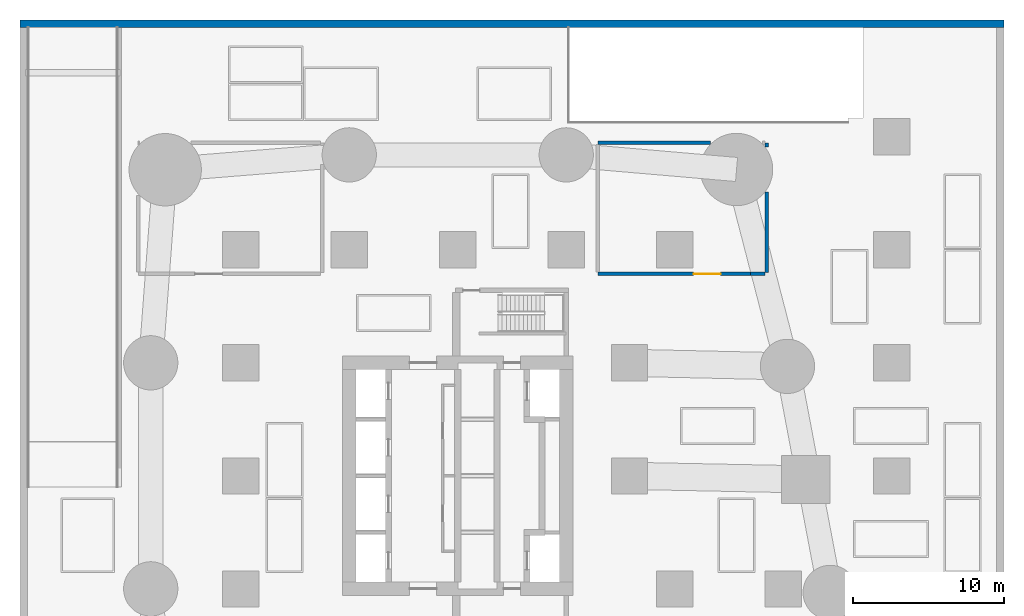
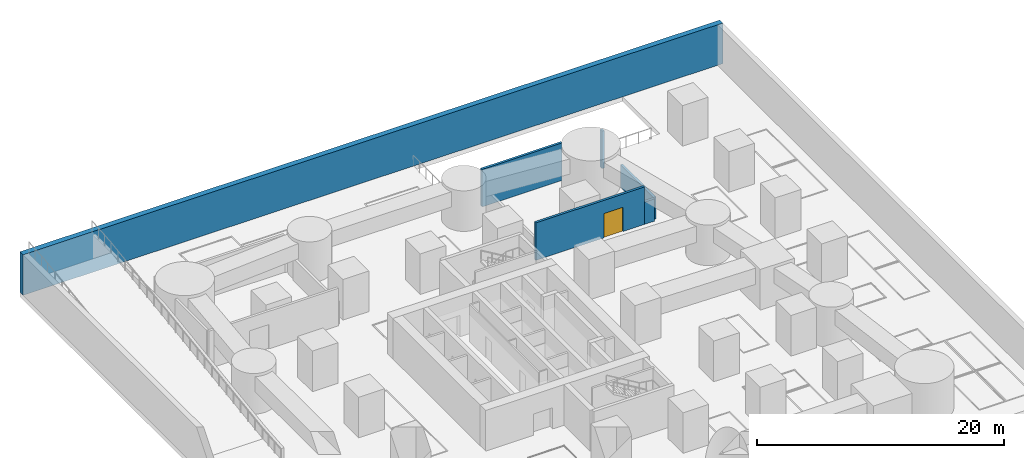
# One storey, part 4 of 8: 6 walls, 1 door, 1 opening.
"""IFC4 building model written with IfcOpenShell, lengths in metres."""

import ifcopenshell
import ifcopenshell.guid

model = None  # the IFC model being written
_history = None  # IfcOwnerHistory: only IFC2X3 demands one
_inside = {}  # id of a spatial element -> (the spatial element, [elements in it])
_under = {}  # id of a project, library or spatial element -> (it, [spatial elements below it])
_declared = {}  # id of a project -> (the project, [libraries it declares])
_typed = {}  # id of a type object -> (the type object, [elements of that type])
_made_of = {}  # id of a material, layer set ... -> (it, [elements and type objects made of it])


def new_model(schema):
    """Start an empty IFC model of exactly this schema.

    Asked for "IFC4X3", IfcOpenShell would pick the latest addendum, in which some entities
    have other attributes; the version numbers below select the first issue.
    IFC2X3 requires an IfcOwnerHistory on every rooted entity: one is made here for all.
    """
    global model, _history
    if schema == "IFC4X3":
        model = ifcopenshell.file(schema_version=(4, 3, 0, 0))
    else:
        model = ifcopenshell.file(schema=schema)
    _inside.clear()
    _under.clear()
    _declared.clear()
    _typed.clear()
    _made_of.clear()
    _history = None
    if model.schema == "IFC2X3":
        org = make("IfcOrganization", Name="unknown")
        user = make(
            "IfcPersonAndOrganization",
            ThePerson=make("IfcPerson", FamilyName="unknown"),
            TheOrganization=org,
        )
        app = make(
            "IfcApplication",
            ApplicationDeveloper=org,
            Version="unknown",
            ApplicationFullName="unknown",
            ApplicationIdentifier="unknown",
        )
        _history = make(
            "IfcOwnerHistory",
            OwningUser=user,
            OwningApplication=app,
            ChangeAction="ADDED",
            CreationDate=0,
        )
    return model


def make(cls, **values):
    """One entity of the class cls with the attributes given. An attribute that is None is left unset."""
    return model.create_entity(
        cls, **{name: value for name, value in values.items() if value is not None}
    )


def rooted(cls, **values):
    """An entity with a GlobalId (a new one), such as an element, a storey or a relation."""
    return make(cls, GlobalId=ifcopenshell.guid.new(), OwnerHistory=_history, **values)


def si_unit(unit_type, name, prefix=None):
    """IfcSIUnit, for example si_unit("LENGTHUNIT", "METRE", prefix="MILLI")."""
    return make("IfcSIUnit", UnitType=unit_type, Prefix=prefix, Name=name)


def assignment(units):
    """IfcUnitAssignment: the units of a project."""
    return None if units is None else make("IfcUnitAssignment", Units=units)


def point(xyz):
    """IfcCartesianPoint."""
    return None if xyz is None else make("IfcCartesianPoint", Coordinates=xyz)


def direction(xyz):
    """IfcDirection."""
    return None if xyz is None else make("IfcDirection", DirectionRatios=xyz)


def frame(location, z_axis=None, x_axis=None):
    """IfcAxis2Placement3D, a coordinate frame: its origin and axes. An axis left out is left unset."""
    return make(
        "IfcAxis2Placement3D",
        Location=point(location),
        Axis=direction(z_axis),
        RefDirection=direction(x_axis),
    )


def frame_2d(location, x_axis=None):
    """IfcAxis2Placement2D, a coordinate frame in the plane: its origin and x axis."""
    return make(
        "IfcAxis2Placement2D", Location=point(location), RefDirection=direction(x_axis)
    )


def origin():
    """The frame at (0, 0, 0) with its axes left unset."""
    return frame((0.0, 0.0, 0.0))


def place(relative_to, where):
    """IfcLocalPlacement: puts the frame where relative to a parent placement (None: the world)."""
    return make(
        "IfcLocalPlacement", PlacementRelTo=relative_to, RelativePlacement=where
    )


def context(
    kind, dimensions, precision=None, world=None, true_north=None, identifier=None
):
    """IfcGeometricRepresentationContext, for example the 3D "Model" context."""
    return make(
        "IfcGeometricRepresentationContext",
        ContextIdentifier=identifier,
        ContextType=kind,
        CoordinateSpaceDimension=dimensions,
        Precision=precision,
        WorldCoordinateSystem=world,
        TrueNorth=true_north,
    )


def subcontext(parent, identifier, kind, view, scale=None):
    """IfcGeometricRepresentationSubContext, for example "Body" below "Model"."""
    return make(
        "IfcGeometricRepresentationSubContext",
        ContextIdentifier=identifier,
        ContextType=kind,
        ParentContext=parent,
        TargetScale=scale,
        TargetView=view,
    )


def project(units=None, contexts=None):
    """IfcProject with its units and contexts."""
    return rooted(
        "IfcProject",
        Name="project",
        RepresentationContexts=contexts,
        UnitsInContext=assignment(units),
    )


def spatial(cls, under=None, at=None, **own):
    """A site, building, storey or space (cls), placed at a placement, below another one or the project."""
    s = rooted(cls, ObjectPlacement=at, **own)
    if under is not None:
        _under.setdefault(under.id(), (under, []))[1].append(s)
    return s


def profile(cls, at=None, kind="AREA", **sizes):
    """A parametric profile (cls). Its sizes go by their IFC names, for example OverallWidth=200.0."""
    return make(cls, ProfileType=kind, Position=at, **sizes)


def rectangle(**sizes):
    """IfcRectangleProfileDef."""
    return profile("IfcRectangleProfileDef", **sizes)


def extrude(swept, where, along, depth):
    """IfcExtrudedAreaSolid: the profile swept, set in the frame where, extruded along a direction by depth."""
    return make(
        "IfcExtrudedAreaSolid",
        SweptArea=swept,
        Position=where,
        ExtrudedDirection=direction(along),
        Depth=depth,
    )


def shape(context_of_items, identifier, shape_type, items):
    """IfcShapeRepresentation: the items that make up one representation, for example the "Body"."""
    return make(
        "IfcShapeRepresentation",
        ContextOfItems=context_of_items,
        RepresentationIdentifier=identifier,
        RepresentationType=shape_type,
        Items=items,
    )


def material(Name=None, Category=None):
    """IfcMaterial."""
    return make("IfcMaterial", Name=Name, Category=Category)


def layer(
    of_material, thickness, ventilated=None, Name=None, Category=None, Priority=None
):
    """IfcMaterialLayer: one layer of a wall or slab, of a material (None: an air gap)."""
    return make(
        "IfcMaterialLayer",
        Material=of_material,
        LayerThickness=thickness,
        IsVentilated=ventilated,
        Name=Name,
        Category=Category,
        Priority=Priority,
    )


def layer_set(layers, Name=None):
    """IfcMaterialLayerSet."""
    return make("IfcMaterialLayerSet", MaterialLayers=layers, LayerSetName=Name)


def made_of(thing, what):
    """Note that an element or type object is made of a material, layer set ...; save() writes the relation."""
    if what is not None:
        _made_of.setdefault(what.id(), (what, []))[1].append(thing)
    return thing


def type_object(cls, material=None, **own):
    """A type object (cls), such as IfcWallType, which elements share."""
    return made_of(rooted(cls, **own), material)


def element(
    cls,
    number,
    at=None,
    inside=None,
    cuts=None,
    type_object=None,
    material=None,
    context=None,
    identifier="Body",
    shape_type=None,
    held_by="IfcProductDefinitionShape",
    body=None,
    shapes=None,
    **own,
):
    """One element of the class cls, such as IfcWall. Its Tag is "e" and its number.

    at: its placement. inside: the storey or other place that contains it. cuts: it is an
    opening in that element (IfcRelVoidsElement). A single representation is given by context,
    identifier, shape_type and body (its items); several are given by shapes. held_by: the class
    of the entity that holds the representations. save() writes the other relations.
    """
    e = rooted(cls, Tag="e%d" % number, ObjectPlacement=at, **own)
    if body is not None:
        shapes = [shape(context, identifier, shape_type, body)]
    if shapes is not None:
        e.Representation = make(held_by, Representations=shapes)
    if inside is not None:
        _inside.setdefault(inside.id(), (inside, []))[1].append(e)
    if cuts is not None:
        rooted(
            "IfcRelVoidsElement", RelatingBuildingElement=cuts, RelatedOpeningElement=e
        )
    if type_object is not None:
        _typed.setdefault(type_object.id(), (type_object, []))[1].append(e)
    return made_of(e, material)


def fill(opening, filler):
    """IfcRelFillsElement: the door or window that sits in an opening."""
    return rooted(
        "IfcRelFillsElement",
        RelatingOpeningElement=opening,
        RelatedBuildingElement=filler,
    )


def aggregate(whole, parts):
    """IfcRelAggregates: a whole, such as a stair, and the parts it consists of."""
    return rooted("IfcRelAggregates", RelatingObject=whole, RelatedObjects=parts)


def save(model, path):
    """Write the relations noted so far, then the file.

    IfcRelAggregates (storeys below a building ...), IfcRelContainedInSpatialStructure (elements
    in a storey), IfcRelDefinesByType, IfcRelAssociatesMaterial and IfcRelDeclares: one each for
    every whole, place, type object, material and project.
    """
    for whole, parts in _under.values():
        aggregate(whole, parts)
    for where, things in _inside.values():
        rooted(
            "IfcRelContainedInSpatialStructure",
            RelatedElements=things,
            RelatingStructure=where,
        )
    for kind, things in _typed.values():
        rooted("IfcRelDefinesByType", RelatedObjects=things, RelatingType=kind)
    for what, things in _made_of.values():
        rooted("IfcRelAssociatesMaterial", RelatedObjects=things, RelatingMaterial=what)
    for by, libraries in _declared.values():
        rooted("IfcRelDeclares", RelatingContext=by, RelatedDefinitions=libraries)
    model.write(path)


model = new_model("IFC4")

# Units and contexts
model_context = context("Model", 3, precision=1e-05, world=origin(), true_north=direction((0.0, 1.0)))
body_context = subcontext(model_context, "Body", "Model", "MODEL_VIEW")
ifc_project = project(units=[si_unit("LENGTHUNIT", "METRE"), si_unit("AREAUNIT", "SQUARE_METRE"), si_unit("VOLUMEUNIT", "CUBIC_METRE"), si_unit("PLANEANGLEUNIT", "RADIAN"), si_unit("MASSUNIT", "GRAM", prefix="KILO")], contexts=[model_context])

# Site, building, storey
site_placement = place(None, origin())
site = spatial("IfcSite", under=ifc_project, at=site_placement, CompositionType="ELEMENT")
building_placement = place(site_placement, origin())
building = spatial("IfcBuilding", under=site, at=building_placement, Name="Sheger Commons Tower", CompositionType="ELEMENT")
storey_placement = place(building_placement, frame((0.0, 0.0, -4.0)))
storey = spatial("IfcBuildingStorey", under=building, at=storey_placement, Name="B1", CompositionType="ELEMENT", Elevation=-4.0)

# Wall, opening, door
ifc_material_1 = material(Name="Dense concrete block masonry, skimmed both sides", Category="masonry")
ifc_layer_1 = layer(ifc_material_1, 0.22509765625)
ifc_layer_set_1 = layer_set([ifc_layer_1], Name="FIRE WALL 225")
wall_type_1 = type_object("IfcWallType", Name="FIRE WALL 225", PredefinedType="SOLIDWALL", material=ifc_layer_set_1)
wall_1_placement = place(storey_placement, frame((30.89990234375, 35.89990234375, 0.0), z_axis=(0.0, 0.0, 1.0), x_axis=(1.0, 0.0, 0.0)))
wall_1 = element("IfcWall", 1, at=wall_1_placement, inside=storey, type_object=wall_type_1, Name="Plant room wall B1", PredefinedType="SOLIDWALL", context=body_context, shape_type="SweptSolid", body=[
    extrude(rectangle(XDim=10.13818359375, YDim=0.22509765625, at=frame_2d((5.069091796875, 0.0))), origin(), (0.0, 0.0, 1.0), 3.699951171875),
])
opening_placement = place(wall_1_placement, frame((6.35009765625, 0.0, 0.0)))
opening = element("IfcOpeningElement", 2, at=opening_placement, cuts=wall_1, Name="Opening D7", PredefinedType="OPENING", context=body_context, shape_type="SweptSolid", body=[
    extrude(rectangle(XDim=1.800048828125, YDim=2.39990234375, at=frame_2d((0.89990234375, 1.199951171875))), frame((0.0, 0.12255859375, 0.0), z_axis=(0.0, -1.0, 0.0), x_axis=(1.0, 0.0, 0.0)), (0.0, 0.0, 1.0), 0.2451171875),
])
ifc_material_2 = material(Name="Steel door set, fire rated", Category="steel")
door_type = type_object("IfcDoorType", Name="PLANT DOUBLE DOOR 1800x2400", OperationType="DOUBLE_DOOR_SINGLE_SWING", PredefinedType="DOOR", material=ifc_material_2)
door_placement = place(opening_placement, origin())
door = element("IfcDoor", 3, at=door_placement, inside=storey, type_object=door_type, Name="Sprinkler pump room door", OperationType="DOUBLE_DOOR_SINGLE_SWING", OverallHeight=2.39990234375, OverallWidth=1.800048828125, PredefinedType="DOOR", context=body_context, shape_type="SweptSolid", body=[
    extrude(rectangle(XDim=1.800048828125, YDim=2.39990234375, at=frame_2d((0.89990234375, 1.199951171875))), frame((0.0, 0.02490234375, 0.0), z_axis=(0.0, -1.0, 0.0), x_axis=(1.0, 0.0, 0.0)), (0.0, 0.0, 1.0), 0.050048828125),
])
fill(opening, door)

# Walls
wall_2_placement = place(storey_placement, frame((41.0380859375, 35.89990234375, 0.0), z_axis=(0.0, 0.0, 1.0), x_axis=(1.0, 0.0, 0.0)))
element("IfcWall", 4, at=wall_2_placement, inside=storey, type_object=wall_type_1, Name="Plant room wall B1", PredefinedType="SOLIDWALL", context=body_context, shape_type="SweptSolid", body=[
    extrude(rectangle(XDim=0.949951171875, YDim=0.22509765625, at=frame_2d((0.47509765625, 0.0))), origin(), (0.0, 0.0, 1.0), 2.199951171875),
])
wall_3_placement = place(storey_placement, frame((42.10009765625, 36.0, 0.0), z_axis=(0.0, 0.0, 1.0), x_axis=(0.0, 1.0, 0.0)))
element("IfcWall", 5, at=wall_3_placement, inside=storey, type_object=wall_type_1, Name="Plant room wall B1", PredefinedType="SOLIDWALL", context=body_context, shape_type="SweptSolid", body=[
    extrude(rectangle(XDim=5.344970703125, YDim=0.22509765625, at=frame_2d((2.67236328125, 0.0))), origin(), (0.0, 0.0, 1.0), 2.199951171875),
])
wall_4_placement = place(storey_placement, frame((42.10009765625, 44.31494140625, 0.0), z_axis=(0.0, 0.0, 1.0), x_axis=(0.0, 1.0, 0.0)))
element("IfcWall", 6, at=wall_4_placement, inside=storey, type_object=wall_type_1, Name="Plant room wall B1", PredefinedType="SOLIDWALL", context=body_context, shape_type="SweptSolid", body=[
    extrude(rectangle(XDim=0.28515625, YDim=0.22509765625, at=frame_2d((0.142578125, 0.0))), origin(), (0.0, 0.0, 1.0), 3.699951171875),
])
wall_5_placement = place(storey_placement, frame((30.89990234375, 44.60009765625, 0.0), z_axis=(0.0, 0.0, 1.0), x_axis=(1.0, 0.0, 0.0)))
element("IfcWall", 7, at=wall_5_placement, inside=storey, type_object=wall_type_1, Name="Plant room wall B1", PredefinedType="SOLIDWALL", context=body_context, shape_type="SweptSolid", body=[
    extrude(rectangle(XDim=7.466064453125, YDim=0.22509765625, at=frame_2d((3.73291015625, 0.0))), origin(), (0.0, 0.0, 1.0), 3.699951171875),
])
ifc_material_3 = material(Name="Concrete C40/50", Category="concrete")
ifc_layer_2 = layer(ifc_material_3, 0.5)
ifc_layer_set_2 = layer_set([ifc_layer_2], Name="RETAINING WALL 500")
wall_type_2 = type_object("IfcWallType", Name="RETAINING WALL 500", PredefinedType="SOLIDWALL", material=ifc_layer_set_2)
wall_6_placement = place(storey_placement, frame((57.85009765625, 52.5, 0.0), z_axis=(0.0, 0.0, 1.0), x_axis=(-1.0, 0.0, 0.0)))
element("IfcWall", 8, at=wall_6_placement, inside=storey, type_object=wall_type_2, Name="Retaining wall north B1", PredefinedType="SOLIDWALL", context=body_context, shape_type="SweptSolid", body=[
    extrude(rectangle(XDim=65.300048828125, YDim=0.5, at=frame_2d((32.64990234375, 0.0))), origin(), (0.0, 0.0, 1.0), 4.0),
])

save(model, "model.ifc")
